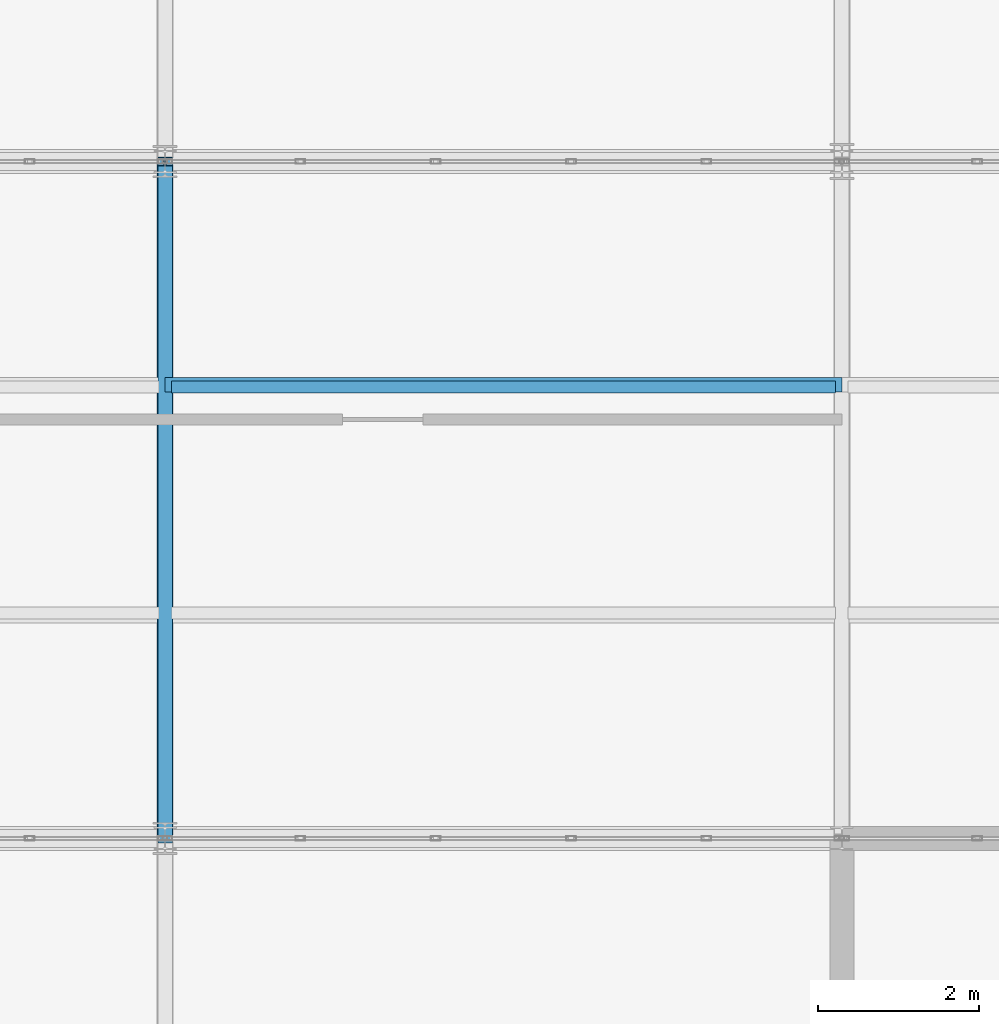
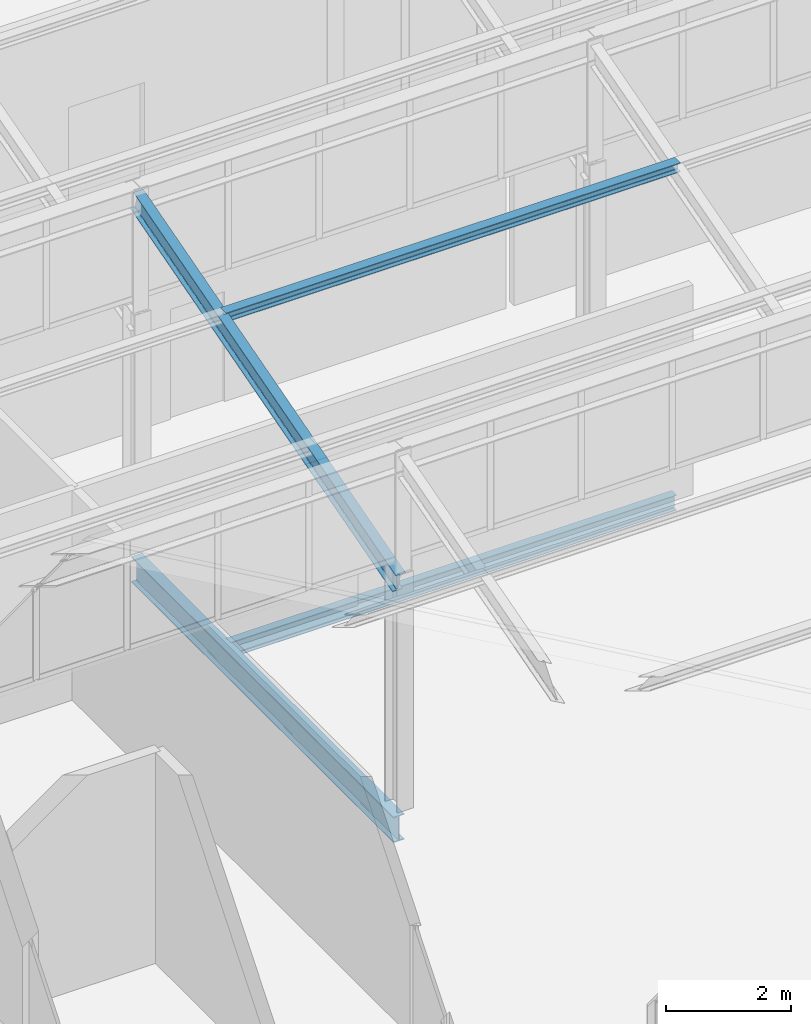
# One storey, part 25 of 53: 3 beams, 1 member.
"""IFC4 building model written with IfcOpenShell, lengths in metres."""

from ifc_helpers import new_model, si_unit, direction, frame, origin, origin_2d, place, context, subcontext, project, spatial, i_section, extrude, material, material_profile, profile_set, type_object, element, save


model = new_model("IFC4")

# Units and contexts
model_context = context("Model", 3, precision=1e-05, world=origin(), true_north=direction((0.0, 1.0)))
body_context = subcontext(model_context, "Body", "Model", "MODEL_VIEW")
ifc_project = project(units=[si_unit("LENGTHUNIT", "METRE"), si_unit("AREAUNIT", "SQUARE_METRE"), si_unit("VOLUMEUNIT", "CUBIC_METRE"), si_unit("PLANEANGLEUNIT", "RADIAN"), si_unit("MASSUNIT", "GRAM", prefix="KILO")], contexts=[model_context])

# Site, building, storey
site_placement = place(None, origin())
site = spatial("IfcSite", under=ifc_project, at=site_placement, CompositionType="ELEMENT")
building_placement = place(site_placement, origin())
building = spatial("IfcBuilding", under=site, at=building_placement, Name="Qalvenar Corner Mobility Hub", CompositionType="ELEMENT")
storey_placement = place(building_placement, frame((0.0, 0.0, 26.39990234375)))
storey = spatial("IfcBuildingStorey", under=building, at=storey_placement, Name="L06", CompositionType="ELEMENT", Elevation=26.39990234375)

# Beams
ifc_material = material(Name="Steel S355", Category="steel")
ifc_material_profile_1 = material_profile(ifc_material, i_section(OverallWidth=0.179931640625, OverallDepth=0.39990234375, WebThickness=0.008544921875, FlangeThickness=0.013427734375, FilletRadius=0.02099609375, at=origin_2d()), Name="IPE400")
ifc_profile_set_1 = profile_set([ifc_material_profile_1], Name="Steel S355")
beam_type_1 = type_object("IfcBeamType", Name="BM-IPE400", PredefinedType="BEAM", material=ifc_profile_set_1)
beam_1_placement = place(storey_placement, frame((25.199951171875, 16.800048828125, 4.340087890625), z_axis=(0.0, 0.96152605678, 0.274713745804), x_axis=(-1.0, 0.0, 0.0)))
element("IfcBeam", 1, at=beam_1_placement, inside=storey, type_object=beam_type_1, Name="Sawtooth Rafter V3RF-3-4", PredefinedType="BEAM", context=body_context, shape_type="SweptSolid", body=[
    extrude(i_section(OverallWidth=0.179931640625, OverallDepth=0.39990234375, WebThickness=0.008544921875, FlangeThickness=0.013427734375, FilletRadius=0.02099609375, at=origin_2d()), origin(), (0.0, 0.0, 1.0), 8.736083984375),
])
ifc_material_profile_2 = material_profile(ifc_material, i_section(OverallWidth=0.199951171875, OverallDepth=0.5, WebThickness=0.01025390625, FlangeThickness=0.01611328125, FilletRadius=0.02099609375, at=origin_2d()), Name="IPE500")
ifc_profile_set_2 = profile_set([ifc_material_profile_2], Name="Steel S355")
beam_type_2 = type_object("IfcBeamType", Name="BM-IPE500", PredefinedType="BEAM", material=ifc_profile_set_2)
beam_2_placement = place(storey_placement, frame((25.199951171875, 16.800048828125, -0.469970703125), z_axis=(0.0, 1.0, 0.0), x_axis=(-1.0, 0.0, 0.0)))
element("IfcBeam", 2, at=beam_2_placement, inside=storey, type_object=beam_type_2, Name="Primary Steel Girder GY-3091", PredefinedType="BEAM", context=body_context, shape_type="SweptSolid", body=[
    extrude(i_section(OverallWidth=0.199951171875, OverallDepth=0.5, WebThickness=0.01025390625, FlangeThickness=0.01611328125, FilletRadius=0.02099609375, at=origin_2d()), origin(), (0.0, 0.0, 1.0), 8.39990234375),
])
ifc_material_profile_3 = material_profile(ifc_material, i_section(OverallWidth=0.14990234375, OverallDepth=0.300048828125, WebThickness=0.007080078125, FlangeThickness=0.0107421875, FilletRadius=0.014892578125, at=origin_2d()), Name="IPE300")
ifc_profile_set_3 = profile_set([ifc_material_profile_3], Name="Steel S355")
beam_type_3 = type_object("IfcBeamType", Name="BM-JST300", PredefinedType="JOIST", material=ifc_profile_set_3)
beam_3_placement = place(storey_placement, frame((25.278076171875, 22.39990234375, -0.369873046875), z_axis=(1.0, 0.0, 0.0), x_axis=(0.0, 1.0, 0.0)))
element("IfcBeam", 3, at=beam_3_placement, inside=storey, type_object=beam_type_3, Name="Composite Floor Joist J-3129", PredefinedType="JOIST", context=body_context, shape_type="SweptSolid", body=[
    extrude(i_section(OverallWidth=0.14990234375, OverallDepth=0.300048828125, WebThickness=0.007080078125, FlangeThickness=0.0107421875, FilletRadius=0.014892578125, at=origin_2d()), origin(), (0.0, 0.0, 1.0), 8.243896484375),
])

# Member
ifc_material_profile_4 = material_profile(ifc_material, i_section(OverallWidth=0.179931640625, OverallDepth=0.179931640625, WebThickness=0.008544921875, FlangeThickness=0.013916015625, FilletRadius=0.014892578125, at=origin_2d()), Name="HEB180")
ifc_profile_set_4 = profile_set([ifc_material_profile_4], Name="Steel S355")
member_type = type_object("IfcMemberType", Name="PR-RHS180", PredefinedType="PURLIN", material=ifc_profile_set_4)
member_placement = place(storey_placement, frame((25.199951171875, 22.427978515625, 6.148193359375), z_axis=(1.0, 0.0, 0.0), x_axis=(0.0, 1.0, 0.0)))
element("IfcMember", 4, at=member_placement, inside=storey, type_object=member_type, Name="Sawtooth Roof Purlin PR-V3-3-4-67", PredefinedType="PURLIN", context=body_context, shape_type="SweptSolid", body=[
    extrude(i_section(OverallWidth=0.179931640625, OverallDepth=0.179931640625, WebThickness=0.008544921875, FlangeThickness=0.013916015625, FilletRadius=0.014892578125, at=origin_2d()), origin(), (0.0, 0.0, 1.0), 8.400146484375),
])

save(model, "model.ifc")
